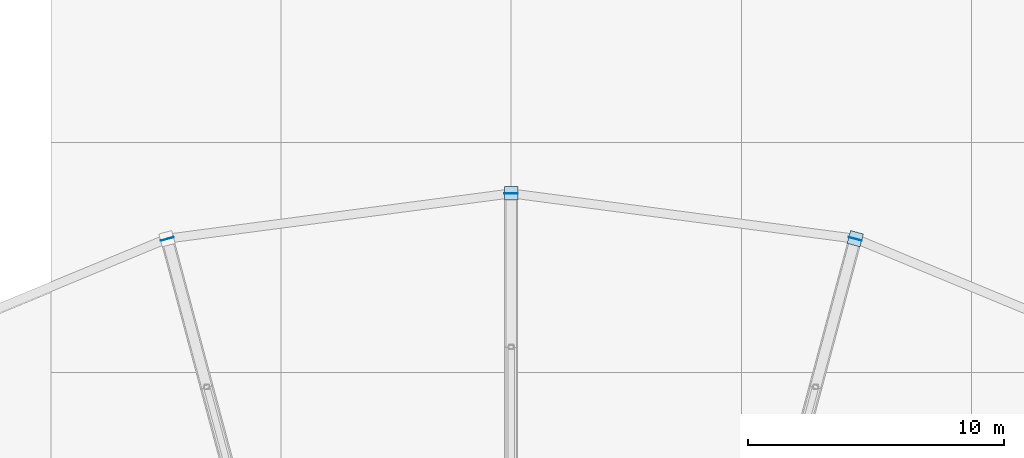
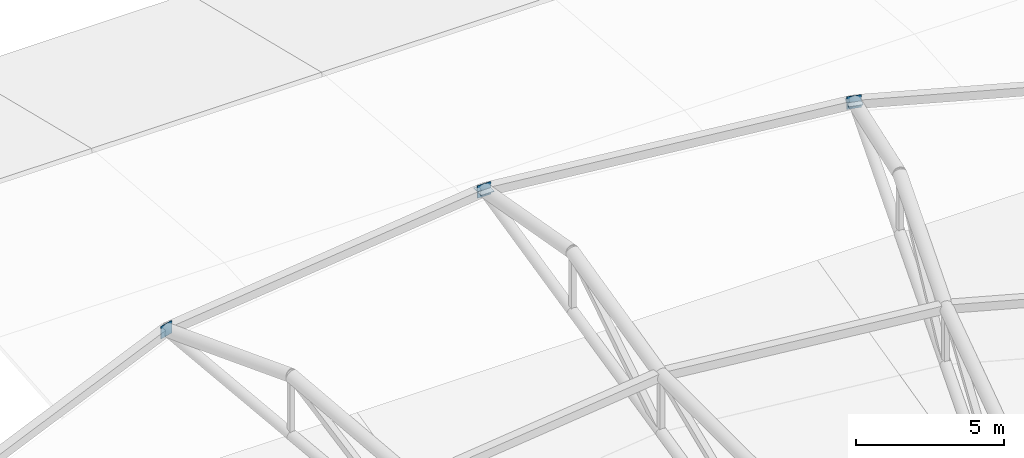
# One storey, part 137 of 167: 5 plates.
"""IFC4 building model written with IfcOpenShell, lengths in metres."""

from ifc_helpers import new_model, si_unit, direction, frame, origin, origin_2d, place, context, subcontext, project, spatial, rectangle, extrude, material, layer, layer_set, type_object, element, save


model = new_model("IFC4")

# Units and contexts
model_context = context("Model", 3, precision=1e-05, world=origin(), true_north=direction((0.0, 1.0)))
body_context = subcontext(model_context, "Body", "Model", "MODEL_VIEW")
ifc_project = project(units=[si_unit("LENGTHUNIT", "METRE"), si_unit("AREAUNIT", "SQUARE_METRE"), si_unit("VOLUMEUNIT", "CUBIC_METRE"), si_unit("PLANEANGLEUNIT", "RADIAN"), si_unit("MASSUNIT", "GRAM", prefix="KILO")], contexts=[model_context])

# Site, building, storey
site_placement = place(None, origin())
site = spatial("IfcSite", under=ifc_project, at=site_placement, CompositionType="ELEMENT")
building_placement = place(site_placement, origin())
building = spatial("IfcBuilding", under=site, at=building_placement, Name="Dornveld Trade and Exhibition Forum", CompositionType="ELEMENT")
storey_placement = place(building_placement, frame((0.0, 0.0, 16.800048828125)))
storey = spatial("IfcBuildingStorey", under=building, at=storey_placement, Name="L03", CompositionType="ELEMENT", Elevation=16.800048828125)

# Plates
ifc_material = material(Name="Steel S355J2", Category="steel")
ifc_layer = layer(ifc_material, 0.02001953125)
ifc_layer_set = layer_set([ifc_layer], Name="Steel S355J2")
plate_type = type_object("IfcPlateType", Name="PL-CAP-520x20", PredefinedType="SHEET", material=ifc_layer_set)
for number, where, z_axis, x_axis, name in (
    (1, (130.45849609375, 131.22802734375, 4.7900390625), (0.0, 0.0, 1.0), (0.258819045103, 0.965925826289, 0.0), "Floating disc tip closure plate 6"),
    (2, (117.0, 133.0, 4.7900390625), (0.0, 0.0, 1.0), (0.0, 1.0, 0.0), "Floating disc tip closure plate 7"),
):
    element("IfcPlate", number, at=place(storey_placement, frame(where, z_axis=z_axis, x_axis=x_axis)), inside=storey, type_object=plate_type, Name=name, PredefinedType="SHEET", context=body_context, shape_type="SweptSolid", body=[
        extrude(rectangle(XDim=0.52001953125, YDim=0.52001953125, at=origin_2d()), origin(), (0.0, 0.0, 1.0), 0.02001953125),
    ])
for number, where, z_axis, x_axis, name in (
    (3, (130.4560546875, 131.218017578125, 4.5400390625), (0.0, 0.0, 1.0), (0.258819045103, 0.965925826289, 0.0), "Floating roof disc radial tip cap plate 6"),
    (4, (117.0, 132.989990234375, 4.5400390625), (0.0, 0.0, 1.0), (0.0, 1.0, 0.0), "Floating roof disc radial tip cap plate 7"),
    (5, (103.5439453125, 131.218017578125, 4.5400390625), (0.0, 0.0, 1.0), (-0.258819045103, 0.965925826289, 0.0), "Floating roof disc radial tip cap plate 8"),
):
    element("IfcPlate", number, at=place(storey_placement, frame(where, z_axis=z_axis, x_axis=x_axis)), inside=storey, type_object=plate_type, Name=name, PredefinedType="SHEET", context=body_context, shape_type="SweptSolid", body=[
        extrude(rectangle(XDim=0.02001953125, YDim=0.52001953125, at=origin_2d()), origin(), (0.0, 0.0, 1.0), 0.52001953125),
    ])

save(model, "model.ifc")
